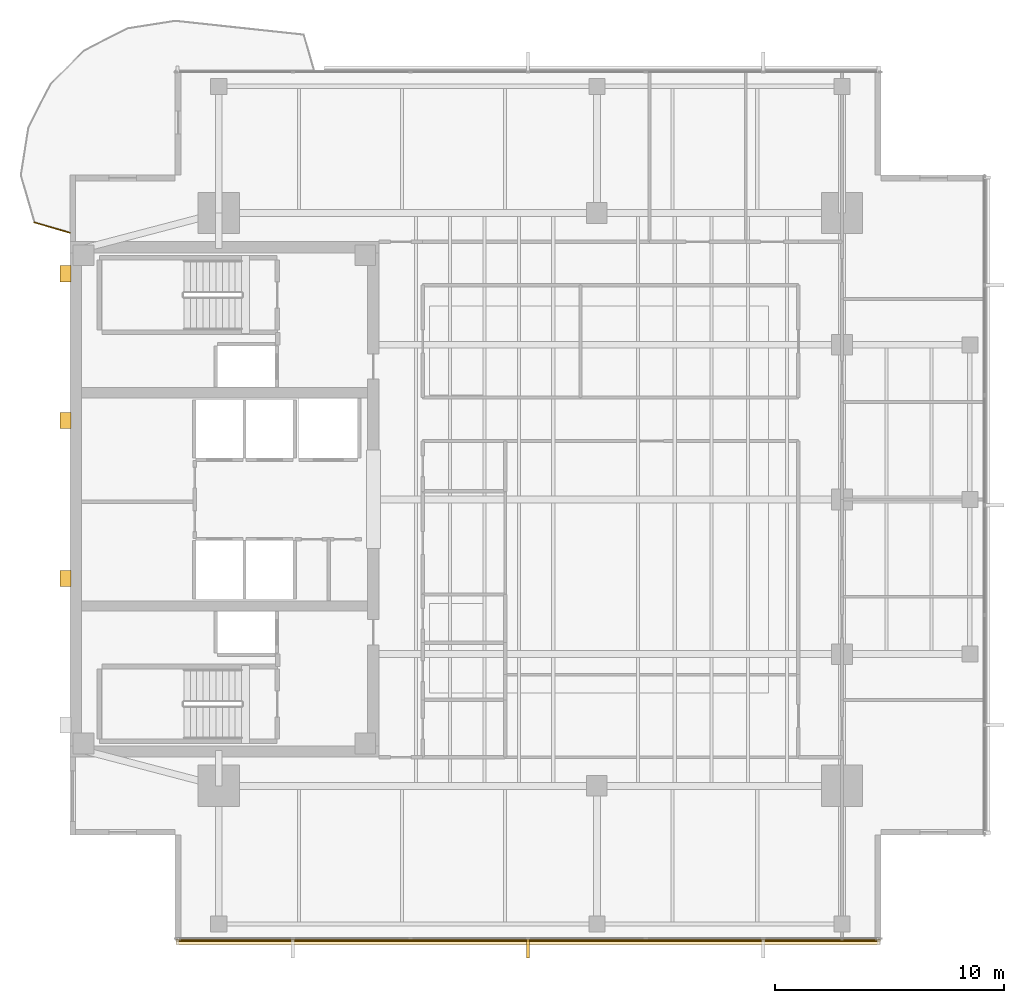
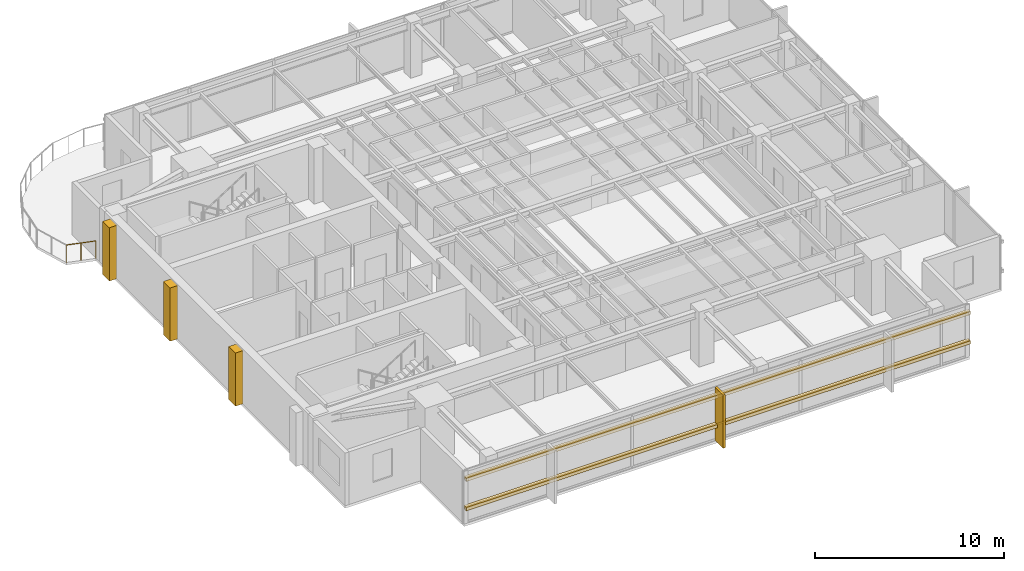
# One storey, part 11 of 13: 6 coverings, 2 shading devices, 1 railing.
"""IFC4 building model written with IfcOpenShell, lengths in metres."""

from ifc_helpers import new_model, si_unit, direction, frame, origin, origin_2d, place, context, subcontext, project, spatial, polyline, rectangle, circle, outline, extrude, material, layer, layer_set, material_profile, profile_set, type_object, element, save


model = new_model("IFC4")

# Units and contexts
model_context = context("Model", 3, precision=1e-05, world=origin(), true_north=direction((0.0, 1.0)))
body_context = subcontext(model_context, "Body", "Model", "MODEL_VIEW")
ifc_project = project(units=[si_unit("LENGTHUNIT", "METRE"), si_unit("AREAUNIT", "SQUARE_METRE"), si_unit("VOLUMEUNIT", "CUBIC_METRE"), si_unit("PLANEANGLEUNIT", "RADIAN"), si_unit("MASSUNIT", "GRAM", prefix="KILO")], contexts=[model_context])

# Site, building, storey
site_placement = place(None, origin())
site = spatial("IfcSite", under=ifc_project, at=site_placement, CompositionType="ELEMENT")
building_placement = place(site_placement, origin())
building = spatial("IfcBuilding", under=site, at=building_placement, Name="Kinhvarn Gate Tower", CompositionType="ELEMENT")
storey_placement = place(building_placement, frame((0.0, 0.0, 288.300048828125)))
storey = spatial("IfcBuildingStorey", under=building, at=storey_placement, Name="L77", CompositionType="ELEMENT", Elevation=288.300048828125)

# Coverings
ifc_material_1 = material(Name="Fired architectural terracotta", Category="masonry")
ifc_layer_1 = layer(ifc_material_1, 0.239990234375)
ifc_layer_set_1 = layer_set([ifc_layer_1], Name="Fired architectural terracotta")
covering_type_1 = type_object("IfcCoveringType", Name="COV-BAG-220", PredefinedType="CLADDING", material=ifc_layer_set_1)
covering_1_placement = place(storey_placement, frame((0.0, 0.0, 0.93994140625)))
element("IfcCovering", 1, at=covering_1_placement, inside=storey, type_object=covering_type_1, Name="Terracotta Horizontal Sunscreen Band TBG-220 (L77)", PredefinedType="CLADDING", context=body_context, shape_type="SweptSolid", body=[
    extrude(outline(polyline([(9.139892578125, 6.070068359375), (39.860107421875, 6.070068359375), (39.860107421875, 5.830078125), (9.139892578125, 5.830078125), (9.139892578125, 6.070068359375)])), origin(), (0.0, 0.0, 1.0), 0.219970703125),
])
covering_2_placement = place(storey_placement, frame((0.0, 0.0, 2.829833984375)))
element("IfcCovering", 2, at=covering_2_placement, inside=storey, type_object=covering_type_1, Name="Terracotta Horizontal Sunscreen Band TBG-220 (L77)", PredefinedType="CLADDING", context=body_context, shape_type="SweptSolid", body=[
    extrude(outline(polyline([(9.139892578125, 6.070068359375), (39.860107421875, 6.070068359375), (39.860107421875, 5.830078125), (9.139892578125, 5.830078125), (9.139892578125, 6.070068359375)])), origin(), (0.0, 0.0, 1.0), 0.22021484375),
])
ifc_layer_2 = layer(ifc_material_1, 0.139892578125)
ifc_layer_set_2 = layer_set([ifc_layer_2], Name="Fired architectural terracotta")
covering_type_2 = type_object("IfcCoveringType", Name="COV-FIN-850", PredefinedType="CLADDING", material=ifc_layer_set_2)
covering_3_placement = place(storey_placement, frame((0.0, 0.0, -0.02001953125)))
element("IfcCovering", 3, at=covering_3_placement, inside=storey, type_object=covering_type_2, Name="Vertical Terracotta Expressive Fin TFN-850 (L77)", PredefinedType="CLADDING", context=body_context, shape_type="SweptSolid", body=[
    extrude(outline(polyline([(24.429931640625, 6.080078125), (24.570068359375, 6.080078125), (24.570068359375, 5.22998046875), (24.429931640625, 5.22998046875), (24.429931640625, 6.080078125)])), origin(), (0.0, 0.0, 1.0), 3.429931640625),
])
ifc_material_2 = material(Name="Precast white architectural concrete C40/50", Category="concrete")
ifc_layer_3 = layer(ifc_material_2, 0.47998046875)
ifc_layer_set_3 = layer_set([ifc_layer_3], Name="Precast white architectural concrete C40/50")
covering_type_3 = type_object("IfcCoveringType", Name="COV-RIB-450", PredefinedType="CLADDING", material=ifc_layer_set_3)
covering_4_placement = place(storey_placement, frame((0.0, 0.0, -0.02001953125)))
element("IfcCovering", 4, at=covering_4_placement, inside=storey, type_object=covering_type_3, Name="West Core Sculptural Concrete Relief Rib CRB-450 (L77)", PredefinedType="CLADDING", context=body_context, shape_type="SweptSolid", body=[
    extrude(outline(polyline([(4.080078125, 21.449951171875), (4.56005859375, 21.449951171875), (4.56005859375, 22.14990234375), (4.080078125, 22.14990234375), (4.080078125, 21.449951171875)])), origin(), (0.0, 0.0, 1.0), 3.429931640625),
])
covering_5_placement = place(storey_placement, frame((0.0, 0.0, -0.02001953125)))
element("IfcCovering", 5, at=covering_5_placement, inside=storey, type_object=covering_type_3, Name="West Core Sculptural Concrete Relief Rib CRB-450 (L77)", PredefinedType="CLADDING", context=body_context, shape_type="SweptSolid", body=[
    extrude(outline(polyline([(4.080078125, 28.35009765625), (4.56005859375, 28.35009765625), (4.56005859375, 29.050048828125), (4.080078125, 29.050048828125), (4.080078125, 28.35009765625)])), origin(), (0.0, 0.0, 1.0), 3.429931640625),
])
covering_6_placement = place(storey_placement, frame((0.0, 0.0, -0.02001953125)))
element("IfcCovering", 6, at=covering_6_placement, inside=storey, type_object=covering_type_3, Name="West Core Sculptural Concrete Relief Rib CRB-450 (L77)", PredefinedType="CLADDING", context=body_context, shape_type="SweptSolid", body=[
    extrude(outline(polyline([(4.080078125, 34.75), (4.56005859375, 34.75), (4.56005859375, 35.449951171875), (4.080078125, 35.449951171875), (4.080078125, 34.75)])), origin(), (0.0, 0.0, 1.0), 3.429931640625),
])

# Railing
ifc_material_3 = material(Name="Clear low-e double glazing", Category="glass")
railing_type = type_object("IfcRailingType", Name="RL-BAL-1150", PredefinedType="BALUSTRADE", material=ifc_material_3)
railing_placement = place(storey_placement, frame((2.951904296875, 37.341064453125, 0.0)))
element("IfcRailing", 7, at=railing_placement, inside=storey, type_object=railing_type, Name="S-Carve Balcony Guardrail Seg 9 (L77)", PredefinedType="BALUSTRADE", context=body_context, shape_type="SweptSolid", body=[
    extrude(circle(Radius=0.02392578125, at=origin_2d()), frame((0.0, 0.0, 1.1259765625), z_axis=(0.960262471612, -0.279098523132, 0.0), x_axis=(0.279098523132, 0.960262471612, 0.0)), (0.0, 0.0, 1.0), 1.612060546875),
    extrude(circle(Radius=0.02099609375, at=origin_2d()), origin(), (0.0, 0.0, 1.0), 1.101806640625),
    extrude(circle(Radius=0.02099609375, at=origin_2d()), frame((0.77392578125, -0.22509765625, 0.0)), (0.0, 0.0, 1.0), 1.101806640625),
    extrude(circle(Radius=0.02099609375, at=origin_2d()), frame((1.548095703125, -0.449951171875, 0.0)), (0.0, 0.0, 1.0), 1.101806640625),
])

# Shading devices
ifc_material_profile = material_profile(ifc_material_1, rectangle(XDim=0.050048828125, YDim=0.1201171875, at=origin_2d()), Name="TC 50x120")
ifc_profile_set = profile_set([ifc_material_profile], Name="Fired architectural terracotta")
shading_device_type = type_object("IfcShadingDeviceType", Name="SHD-BAG-140", PredefinedType="USERDEFINED", material=ifc_profile_set)
for number, where, z_axis, x_axis, name in (
    (8, (9.139892578125, 6.0, 1.050048828125), (1.0, 0.0, 0.0), (0.0, 1.0, 0.0), "Upper Tower Terracotta Baguette Screen Rod 50x120 mm (L77)"),
    (9, (9.139892578125, 6.0, 2.93994140625), (1.0, 0.0, 0.0), (0.0, 1.0, 0.0), "Upper Tower Terracotta Baguette Screen Rod 50x120 mm (L77)"),
):
    element("IfcShadingDevice", number, at=place(storey_placement, frame(where, z_axis=z_axis, x_axis=x_axis)), inside=storey, type_object=shading_device_type, Name=name, ObjectType="BAGUETTE", PredefinedType="USERDEFINED", context=body_context, shape_type="SweptSolid", body=[
        extrude(rectangle(XDim=0.050048828125, YDim=0.1201171875, at=origin_2d()), origin(), (0.0, 0.0, 1.0), 30.72021484375),
    ])

save(model, "model.ifc")
